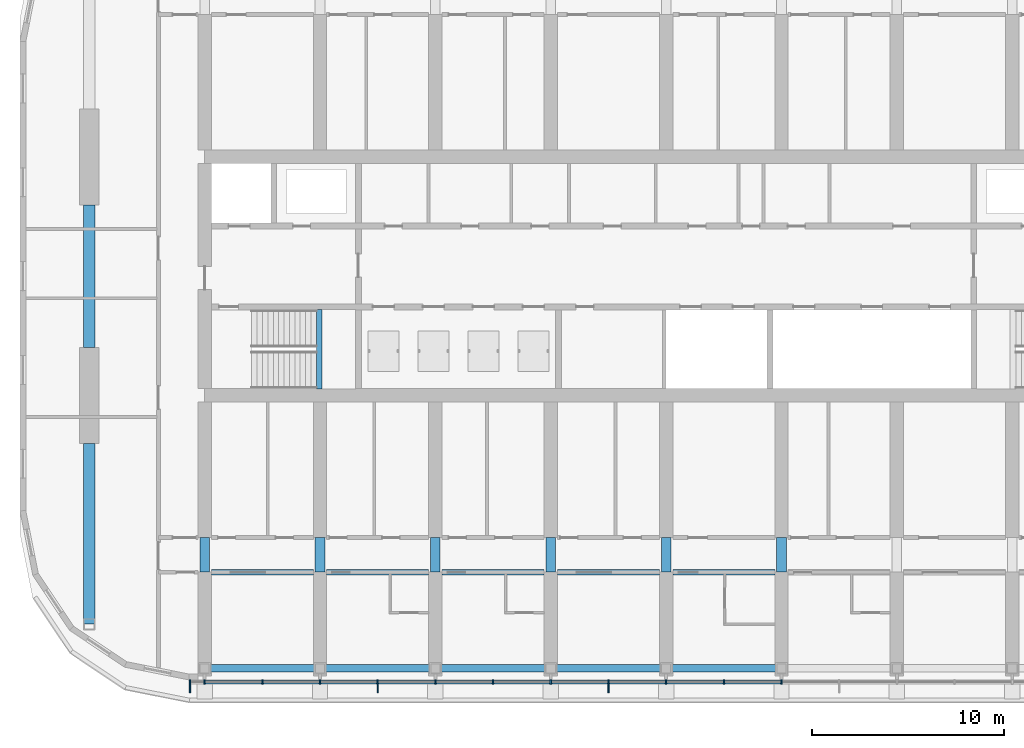
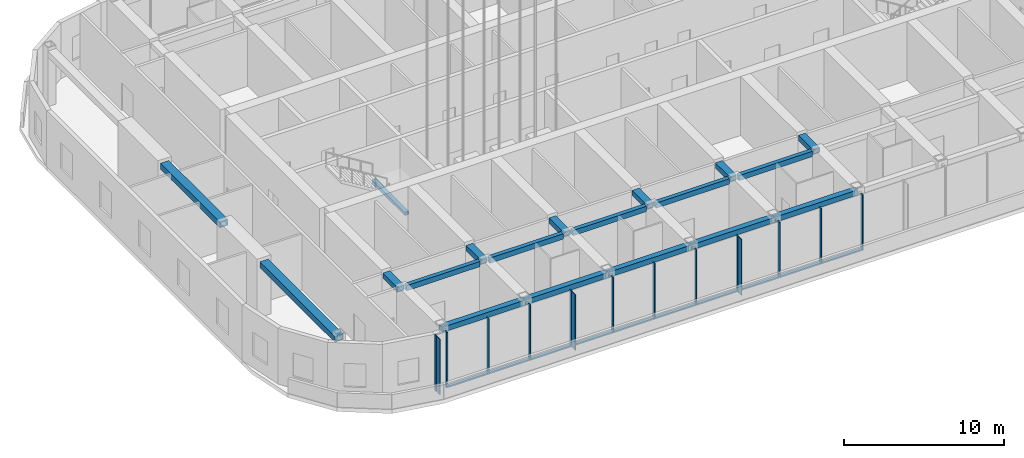
# One storey, part 2 of 35: 25 members, 19 beams, 1 element without a shape of its own.
"""IFC4 building model written with IfcOpenShell, lengths in metres."""

from ifc_helpers import new_model, si_unit, direction, frame, origin, origin_2d, place, context, subcontext, project, spatial, rectangle, hollow_rectangle, extrude, material, material_profile, profile_set, type_object, element, aggregate, save


model = new_model("IFC4")

# Units and contexts
model_context = context("Model", 3, precision=1e-05, world=origin(), true_north=direction((0.0, 1.0)))
body_context = subcontext(model_context, "Body", "Model", "MODEL_VIEW")
ifc_project = project(units=[si_unit("LENGTHUNIT", "METRE"), si_unit("AREAUNIT", "SQUARE_METRE"), si_unit("VOLUMEUNIT", "CUBIC_METRE"), si_unit("PLANEANGLEUNIT", "RADIAN"), si_unit("MASSUNIT", "GRAM", prefix="KILO")], contexts=[model_context])

# Site, building, storey
site_placement = place(None, origin())
site = spatial("IfcSite", under=ifc_project, at=site_placement, CompositionType="ELEMENT")
building_placement = place(site_placement, origin())
building = spatial("IfcBuilding", under=site, at=building_placement, Name="Orbita Commons", CompositionType="ELEMENT")
storey_placement = place(building_placement, frame((0.0, 0.0, 208.300048828125)))
storey = spatial("IfcBuildingStorey", under=building, at=storey_placement, Name="L51", CompositionType="ELEMENT", Elevation=208.300048828125)

# Curtain wall, members
ifc_material_1 = material(Name="Anodised aluminium frame, pale silver", Category="aluminium")
curtain_wall_type = type_object("IfcCurtainWallType", Name="Unitised curtain wall CW-S, full-height", PredefinedType="NOTDEFINED", material=ifc_material_1)
curtain_wall_placement = place(storey_placement, origin())
curtain_wall = element("IfcCurtainWall", 1, at=curtain_wall_placement, inside=storey, type_object=curtain_wall_type, Name="Curtain wall south L51", PredefinedType="NOTDEFINED")
ifc_material_2 = material(Name="Anodised aluminium, pale silver", Category="aluminium")
ifc_material_profile_1 = material_profile(ifc_material_2, rectangle(XDim=0.080078125, YDim=0.219970703125, at=origin_2d()), Name="AL 80x220")
ifc_profile_set_1 = profile_set([ifc_material_profile_1], Name="Anodised aluminium, pale silver")
member_type_1 = type_object("IfcMemberType", Name="Curtain wall mullion 80x220", PredefinedType="MULLION", material=ifc_profile_set_1)
member_1_placement = place(storey_placement, frame((17.239990234375, 10.889892578125, 0.0), z_axis=(0.0, 0.0, 1.0), x_axis=(1.0, 0.0, 0.0)))
member_1 = element("IfcMember", 2, at=member_1_placement, type_object=member_type_1, Name="Mullion 1 CW-L51-S", PredefinedType="MULLION", context=body_context, shape_type="SweptSolid", body=[
    extrude(rectangle(XDim=0.080078125, YDim=0.219970703125, at=origin_2d()), origin(), (0.0, 0.0, 1.0), 4.25),
])
member_2_placement = place(storey_placement, frame((18.0, 10.889892578125, 0.0), z_axis=(0.0, 0.0, 1.0), x_axis=(1.0, 0.0, 0.0)))
member_2 = element("IfcMember", 3, at=member_2_placement, type_object=member_type_1, Name="Mullion 2 CW-L51-S", PredefinedType="MULLION", context=body_context, shape_type="SweptSolid", body=[
    extrude(rectangle(XDim=0.080078125, YDim=0.219970703125, at=origin_2d()), origin(), (0.0, 0.0, 1.0), 4.25),
])
member_3_placement = place(storey_placement, frame((21.0, 10.889892578125, 0.0), z_axis=(0.0, 0.0, 1.0), x_axis=(1.0, 0.0, 0.0)))
member_3 = element("IfcMember", 4, at=member_3_placement, type_object=member_type_1, Name="Mullion 3 CW-L51-S", PredefinedType="MULLION", context=body_context, shape_type="SweptSolid", body=[
    extrude(rectangle(XDim=0.080078125, YDim=0.219970703125, at=origin_2d()), origin(), (0.0, 0.0, 1.0), 4.25),
])
member_4_placement = place(storey_placement, frame((24.0, 10.889892578125, 0.0), z_axis=(0.0, 0.0, 1.0), x_axis=(1.0, 0.0, 0.0)))
member_4 = element("IfcMember", 5, at=member_4_placement, type_object=member_type_1, Name="Mullion 4 CW-L51-S", PredefinedType="MULLION", context=body_context, shape_type="SweptSolid", body=[
    extrude(rectangle(XDim=0.080078125, YDim=0.219970703125, at=origin_2d()), origin(), (0.0, 0.0, 1.0), 4.25),
])
member_5_placement = place(storey_placement, frame((27.0, 10.889892578125, 0.0), z_axis=(0.0, 0.0, 1.0), x_axis=(1.0, 0.0, 0.0)))
member_5 = element("IfcMember", 6, at=member_5_placement, type_object=member_type_1, Name="Mullion 5 CW-L51-S", PredefinedType="MULLION", context=body_context, shape_type="SweptSolid", body=[
    extrude(rectangle(XDim=0.080078125, YDim=0.219970703125, at=origin_2d()), origin(), (0.0, 0.0, 1.0), 4.25),
])
member_6_placement = place(storey_placement, frame((30.0, 10.889892578125, 0.0), z_axis=(0.0, 0.0, 1.0), x_axis=(1.0, 0.0, 0.0)))
member_6 = element("IfcMember", 7, at=member_6_placement, type_object=member_type_1, Name="Mullion 6 CW-L51-S", PredefinedType="MULLION", context=body_context, shape_type="SweptSolid", body=[
    extrude(rectangle(XDim=0.080078125, YDim=0.219970703125, at=origin_2d()), origin(), (0.0, 0.0, 1.0), 4.25),
])
member_7_placement = place(storey_placement, frame((33.0, 10.889892578125, 0.0), z_axis=(0.0, 0.0, 1.0), x_axis=(1.0, 0.0, 0.0)))
member_7 = element("IfcMember", 8, at=member_7_placement, type_object=member_type_1, Name="Mullion 7 CW-L51-S", PredefinedType="MULLION", context=body_context, shape_type="SweptSolid", body=[
    extrude(rectangle(XDim=0.080078125, YDim=0.219970703125, at=origin_2d()), origin(), (0.0, 0.0, 1.0), 4.25),
])
member_8_placement = place(storey_placement, frame((36.0, 10.889892578125, 0.0), z_axis=(0.0, 0.0, 1.0), x_axis=(1.0, 0.0, 0.0)))
member_8 = element("IfcMember", 9, at=member_8_placement, type_object=member_type_1, Name="Mullion 8 CW-L51-S", PredefinedType="MULLION", context=body_context, shape_type="SweptSolid", body=[
    extrude(rectangle(XDim=0.080078125, YDim=0.219970703125, at=origin_2d()), origin(), (0.0, 0.0, 1.0), 4.25),
])
member_9_placement = place(storey_placement, frame((39.0, 10.889892578125, 0.0), z_axis=(0.0, 0.0, 1.0), x_axis=(1.0, 0.0, 0.0)))
member_9 = element("IfcMember", 10, at=member_9_placement, type_object=member_type_1, Name="Mullion 9 CW-L51-S", PredefinedType="MULLION", context=body_context, shape_type="SweptSolid", body=[
    extrude(rectangle(XDim=0.080078125, YDim=0.219970703125, at=origin_2d()), origin(), (0.0, 0.0, 1.0), 4.25),
])
member_10_placement = place(storey_placement, frame((42.0, 10.889892578125, 0.0), z_axis=(0.0, 0.0, 1.0), x_axis=(1.0, 0.0, 0.0)))
member_10 = element("IfcMember", 11, at=member_10_placement, type_object=member_type_1, Name="Mullion 10 CW-L51-S", PredefinedType="MULLION", context=body_context, shape_type="SweptSolid", body=[
    extrude(rectangle(XDim=0.080078125, YDim=0.219970703125, at=origin_2d()), origin(), (0.0, 0.0, 1.0), 4.25),
])
member_11_placement = place(storey_placement, frame((45.0, 10.889892578125, 0.0), z_axis=(0.0, 0.0, 1.0), x_axis=(1.0, 0.0, 0.0)))
member_11 = element("IfcMember", 12, at=member_11_placement, type_object=member_type_1, Name="Mullion 11 CW-L51-S", PredefinedType="MULLION", context=body_context, shape_type="SweptSolid", body=[
    extrude(rectangle(XDim=0.080078125, YDim=0.219970703125, at=origin_2d()), origin(), (0.0, 0.0, 1.0), 4.25),
])
member_12_placement = place(storey_placement, frame((48.0, 10.889892578125, 0.0), z_axis=(0.0, 0.0, 1.0), x_axis=(1.0, 0.0, 0.0)))
member_12 = element("IfcMember", 13, at=member_12_placement, type_object=member_type_1, Name="Mullion 12 CW-L51-S", PredefinedType="MULLION", context=body_context, shape_type="SweptSolid", body=[
    extrude(rectangle(XDim=0.080078125, YDim=0.219970703125, at=origin_2d()), origin(), (0.0, 0.0, 1.0), 4.25),
])
ifc_material_3 = material(Name="Anodised aluminium, pale silver", Category="aluminium")
ifc_material_profile_2 = material_profile(ifc_material_3, rectangle(XDim=0.219970703125, YDim=0.10009765625, at=origin_2d()), Name="AL 220x100")
ifc_profile_set_2 = profile_set([ifc_material_profile_2], Name="Anodised aluminium, pale silver")
member_type_2 = type_object("IfcMemberType", Name="Curtain wall stack transom 220x100", PredefinedType="USERDEFINED", material=ifc_profile_set_2)
member_13_placement = place(storey_placement, frame((18.0400390625, 10.889892578125, 0.050048828125), z_axis=(1.0, 0.0, 0.0), x_axis=(0.0, 1.0, 0.0)))
member_13 = element("IfcMember", 14, at=member_13_placement, type_object=member_type_2, Name="Transom 2.1 CW-L51-S", ObjectType="TRANSOM", PredefinedType="USERDEFINED", context=body_context, shape_type="SweptSolid", body=[
    extrude(rectangle(XDim=0.219970703125, YDim=0.10009765625, at=origin_2d()), origin(), (0.0, 0.0, 1.0), 2.919921875),
])
member_14_placement = place(storey_placement, frame((21.0400390625, 10.889892578125, 0.050048828125), z_axis=(1.0, 0.0, 0.0), x_axis=(0.0, 1.0, 0.0)))
member_14 = element("IfcMember", 15, at=member_14_placement, type_object=member_type_2, Name="Transom 3.1 CW-L51-S", ObjectType="TRANSOM", PredefinedType="USERDEFINED", context=body_context, shape_type="SweptSolid", body=[
    extrude(rectangle(XDim=0.219970703125, YDim=0.10009765625, at=origin_2d()), origin(), (0.0, 0.0, 1.0), 2.919921875),
])
member_15_placement = place(storey_placement, frame((24.0400390625, 10.889892578125, 0.050048828125), z_axis=(1.0, 0.0, 0.0), x_axis=(0.0, 1.0, 0.0)))
member_15 = element("IfcMember", 16, at=member_15_placement, type_object=member_type_2, Name="Transom 4.1 CW-L51-S", ObjectType="TRANSOM", PredefinedType="USERDEFINED", context=body_context, shape_type="SweptSolid", body=[
    extrude(rectangle(XDim=0.219970703125, YDim=0.10009765625, at=origin_2d()), origin(), (0.0, 0.0, 1.0), 2.919921875),
])
member_16_placement = place(storey_placement, frame((27.0400390625, 10.889892578125, 0.050048828125), z_axis=(1.0, 0.0, 0.0), x_axis=(0.0, 1.0, 0.0)))
member_16 = element("IfcMember", 17, at=member_16_placement, type_object=member_type_2, Name="Transom 5.1 CW-L51-S", ObjectType="TRANSOM", PredefinedType="USERDEFINED", context=body_context, shape_type="SweptSolid", body=[
    extrude(rectangle(XDim=0.219970703125, YDim=0.10009765625, at=origin_2d()), origin(), (0.0, 0.0, 1.0), 2.919921875),
])
member_17_placement = place(storey_placement, frame((30.0400390625, 10.889892578125, 0.050048828125), z_axis=(1.0, 0.0, 0.0), x_axis=(0.0, 1.0, 0.0)))
member_17 = element("IfcMember", 18, at=member_17_placement, type_object=member_type_2, Name="Transom 6.1 CW-L51-S", ObjectType="TRANSOM", PredefinedType="USERDEFINED", context=body_context, shape_type="SweptSolid", body=[
    extrude(rectangle(XDim=0.219970703125, YDim=0.10009765625, at=origin_2d()), origin(), (0.0, 0.0, 1.0), 2.919921875),
])
member_18_placement = place(storey_placement, frame((33.0400390625, 10.889892578125, 0.050048828125), z_axis=(1.0, 0.0, 0.0), x_axis=(0.0, 1.0, 0.0)))
member_18 = element("IfcMember", 19, at=member_18_placement, type_object=member_type_2, Name="Transom 7.1 CW-L51-S", ObjectType="TRANSOM", PredefinedType="USERDEFINED", context=body_context, shape_type="SweptSolid", body=[
    extrude(rectangle(XDim=0.219970703125, YDim=0.10009765625, at=origin_2d()), origin(), (0.0, 0.0, 1.0), 2.919921875),
])
member_19_placement = place(storey_placement, frame((36.0400390625, 10.889892578125, 0.050048828125), z_axis=(1.0, 0.0, 0.0), x_axis=(0.0, 1.0, 0.0)))
member_19 = element("IfcMember", 20, at=member_19_placement, type_object=member_type_2, Name="Transom 8.1 CW-L51-S", ObjectType="TRANSOM", PredefinedType="USERDEFINED", context=body_context, shape_type="SweptSolid", body=[
    extrude(rectangle(XDim=0.219970703125, YDim=0.10009765625, at=origin_2d()), origin(), (0.0, 0.0, 1.0), 2.919921875),
])
member_20_placement = place(storey_placement, frame((39.0400390625, 10.889892578125, 0.050048828125), z_axis=(1.0, 0.0, 0.0), x_axis=(0.0, 1.0, 0.0)))
member_20 = element("IfcMember", 21, at=member_20_placement, type_object=member_type_2, Name="Transom 9.1 CW-L51-S", ObjectType="TRANSOM", PredefinedType="USERDEFINED", context=body_context, shape_type="SweptSolid", body=[
    extrude(rectangle(XDim=0.219970703125, YDim=0.10009765625, at=origin_2d()), origin(), (0.0, 0.0, 1.0), 2.919921875),
])
member_21_placement = place(storey_placement, frame((42.0400390625, 10.889892578125, 0.050048828125), z_axis=(1.0, 0.0, 0.0), x_axis=(0.0, 1.0, 0.0)))
member_21 = element("IfcMember", 22, at=member_21_placement, type_object=member_type_2, Name="Transom 10.1 CW-L51-S", ObjectType="TRANSOM", PredefinedType="USERDEFINED", context=body_context, shape_type="SweptSolid", body=[
    extrude(rectangle(XDim=0.219970703125, YDim=0.10009765625, at=origin_2d()), origin(), (0.0, 0.0, 1.0), 2.919921875),
])
member_22_placement = place(storey_placement, frame((45.0400390625, 10.889892578125, 0.050048828125), z_axis=(1.0, 0.0, 0.0), x_axis=(0.0, 1.0, 0.0)))
member_22 = element("IfcMember", 23, at=member_22_placement, type_object=member_type_2, Name="Transom 11.1 CW-L51-S", ObjectType="TRANSOM", PredefinedType="USERDEFINED", context=body_context, shape_type="SweptSolid", body=[
    extrude(rectangle(XDim=0.219970703125, YDim=0.10009765625, at=origin_2d()), origin(), (0.0, 0.0, 1.0), 2.919921875),
])

# Beams
ifc_material_4 = material(Name="Steel ASTM A572 Gr 50 welded plate", Category="steel")
ifc_material_profile_3 = material_profile(ifc_material_4, hollow_rectangle(XDim=0.300048828125, YDim=0.25, WallThickness=0.02490234375, at=origin_2d()), Name="BOX 250x300x25")
ifc_profile_set_3 = profile_set([ifc_material_profile_3], Name="Steel ASTM A572 Gr 50 welded plate")
beam_type_1 = type_object("IfcBeamType", Name="Stair landing beam steel BOX 250x300x25", PredefinedType="BEAM", material=ifc_profile_set_3)
beam_1_placement = place(storey_placement, frame((23.9599609375, 26.135009765625, 1.925048828125), z_axis=(0.0, 1.0, 0.0), x_axis=(-1.0, 0.0, 0.0)))
element("IfcBeam", 24, at=beam_1_placement, inside=storey, type_object=beam_type_1, Name="Stair S1 landing beam L51 1", PredefinedType="BEAM", context=body_context, shape_type="SweptSolid", body=[
    extrude(hollow_rectangle(XDim=0.300048828125, YDim=0.25, WallThickness=0.02490234375, at=origin_2d()), origin(), (0.0, 0.0, 1.0), 4.1298828125),
])
ifc_material_5 = material(Name="Steel ASTM A572 Gr 50 welded plate", Category="steel")
ifc_material_profile_4 = material_profile(ifc_material_5, hollow_rectangle(XDim=0.300048828125, YDim=0.39990234375, WallThickness=0.0400390625, at=origin_2d()), Name="BOX 400x300x40")
ifc_profile_set_4 = profile_set([ifc_material_profile_4], Name="Steel ASTM A572 Gr 50 welded plate")
beam_type_2 = type_object("IfcBeamType", Name="Steel corridor link BOX 400x300x40", PredefinedType="BEAM", material=ifc_profile_set_4)
for number, where, z_axis, x_axis, name in (
    (25, (18.35009765625, 16.60009765625, 4.050048828125), (1.0, 0.0, 0.0), (0.0, 1.0, 0.0), "Corridor beam SA 4-5 L51"),
    (26, (24.35009765625, 16.60009765625, 4.050048828125), (1.0, 0.0, 0.0), (0.0, 1.0, 0.0), "Corridor beam SA 5-6 L51"),
    (27, (30.35009765625, 16.60009765625, 4.050048828125), (1.0, 0.0, 0.0), (0.0, 1.0, 0.0), "Corridor beam SA 6-7 L51"),
    (28, (36.35009765625, 16.60009765625, 4.050048828125), (1.0, 0.0, 0.0), (0.0, 1.0, 0.0), "Corridor beam SA 7-8 L51"),
    (29, (42.35009765625, 16.60009765625, 4.050048828125), (1.0, 0.0, 0.0), (0.0, 1.0, 0.0), "Corridor beam SA 8-9 L51"),
):
    element("IfcBeam", number, at=place(storey_placement, frame(where, z_axis=z_axis, x_axis=x_axis)), inside=storey, type_object=beam_type_2, Name=name, PredefinedType="BEAM", context=body_context, shape_type="SweptSolid", body=[
        extrude(hollow_rectangle(XDim=0.300048828125, YDim=0.39990234375, WallThickness=0.0400390625, at=origin_2d()), origin(), (0.0, 0.0, 1.0), 5.2998046875),
    ])
ifc_material_6 = material(Name="Steel ASTM A572 Gr 50 welded plate", Category="steel")
ifc_material_profile_5 = material_profile(ifc_material_6, hollow_rectangle(XDim=0.5, YDim=0.39990234375, WallThickness=0.050048828125, at=origin_2d()), Name="BOX 400x500x50")
ifc_profile_set_5 = profile_set([ifc_material_profile_5], Name="Steel ASTM A572 Gr 50 welded plate")
beam_type_3 = type_object("IfcBeamType", Name="Steel coupling link BOX 400x500x50", PredefinedType="LINTEL", material=ifc_profile_set_5)
for number, where, z_axis, x_axis, name in (
    (30, (18.0, 16.60009765625, 4.050048828125), (0.0, 1.0, 0.0), (-1.0, 0.0, 0.0), "Coupling beam 4 south L51"),
    (31, (24.0, 16.60009765625, 4.050048828125), (0.0, 1.0, 0.0), (-1.0, 0.0, 0.0), "Coupling beam 5 south L51"),
    (32, (30.0, 16.60009765625, 4.050048828125), (0.0, 1.0, 0.0), (-1.0, 0.0, 0.0), "Coupling beam 6 south L51"),
    (33, (36.0, 16.60009765625, 4.050048828125), (0.0, 1.0, 0.0), (-1.0, 0.0, 0.0), "Coupling beam 7 south L51"),
    (34, (42.0, 16.60009765625, 4.050048828125), (0.0, 1.0, 0.0), (-1.0, 0.0, 0.0), "Coupling beam 8 south L51"),
    (35, (48.0, 16.60009765625, 4.050048828125), (0.0, 1.0, 0.0), (-1.0, 0.0, 0.0), "Coupling beam 9 south L51"),
):
    element("IfcBeam", number, at=place(storey_placement, frame(where, z_axis=z_axis, x_axis=x_axis)), inside=storey, type_object=beam_type_3, Name=name, PredefinedType="LINTEL", context=body_context, shape_type="SweptSolid", body=[
        extrude(hollow_rectangle(XDim=0.5, YDim=0.39990234375, WallThickness=0.050048828125, at=origin_2d()), origin(), (0.0, 0.0, 1.0), 1.7998046875),
    ])
ifc_material_7 = material(Name="Steel ASTM A572 Gr 50 welded plate", Category="steel")
ifc_material_profile_6 = material_profile(ifc_material_7, hollow_rectangle(XDim=0.60009765625, YDim=0.449951171875, WallThickness=0.06005859375, at=origin_2d()), Name="BOX 450x600x60")
ifc_profile_set_6 = profile_set([ifc_material_profile_6], Name="Steel ASTM A572 Gr 50 welded plate")
beam_type_4 = type_object("IfcBeamType", Name="Steel end frame link BOX 450x600x60", PredefinedType="BEAM", material=ifc_profile_set_6)
beam_2_placement = place(storey_placement, frame((12.0, 13.89990234375, 4.02490234375), z_axis=(0.0, 1.0, 0.0), x_axis=(-1.0, 0.0, 0.0)))
element("IfcBeam", 36, at=beam_2_placement, inside=storey, type_object=beam_type_4, Name="End frame beam 3 B-C L51", PredefinedType="BEAM", context=body_context, shape_type="SweptSolid", body=[
    extrude(hollow_rectangle(XDim=0.60009765625, YDim=0.449951171875, WallThickness=0.06005859375, at=origin_2d()), origin(), (0.0, 0.0, 1.0), 9.400146484375),
])
beam_3_placement = place(storey_placement, frame((12.0, 28.300048828125, 4.02490234375), z_axis=(0.0, 1.0, 0.0), x_axis=(-1.0, 0.0, 0.0)))
element("IfcBeam", 37, at=beam_3_placement, inside=storey, type_object=beam_type_4, Name="End frame beam 3 C-D L51", PredefinedType="BEAM", context=body_context, shape_type="SweptSolid", body=[
    extrude(hollow_rectangle(XDim=0.60009765625, YDim=0.449951171875, WallThickness=0.06005859375, at=origin_2d()), origin(), (0.0, 0.0, 1.0), 7.39990234375),
])
ifc_material_8 = material(Name="Steel ASTM A572 Gr 50 welded plate", Category="steel")
ifc_material_profile_7 = material_profile(ifc_material_8, hollow_rectangle(XDim=0.39990234375, YDim=0.39990234375, WallThickness=0.0400390625, at=origin_2d()), Name="BOX 400x400x40")
ifc_profile_set_7 = profile_set([ifc_material_profile_7], Name="Steel ASTM A572 Gr 50 welded plate")
beam_type_5 = type_object("IfcBeamType", Name="Steel spandrel BOX 400x400x40", PredefinedType="SPANDREL", material=ifc_profile_set_7)
for number, where, z_axis, x_axis, name in (
    (38, (18.0, 11.60009765625, 4.050048828125), (1.0, 0.0, 0.0), (0.0, 1.0, 0.0), "Spandrel beam B 4-5 L51"),
    (39, (24.0, 11.60009765625, 4.050048828125), (1.0, 0.0, 0.0), (0.0, 1.0, 0.0), "Spandrel beam B 5-6 L51"),
    (40, (30.0, 11.60009765625, 4.050048828125), (1.0, 0.0, 0.0), (0.0, 1.0, 0.0), "Spandrel beam B 6-7 L51"),
    (41, (36.0, 11.60009765625, 4.050048828125), (1.0, 0.0, 0.0), (0.0, 1.0, 0.0), "Spandrel beam B 7-8 L51"),
    (42, (42.0, 11.60009765625, 4.050048828125), (1.0, 0.0, 0.0), (0.0, 1.0, 0.0), "Spandrel beam B 8-9 L51"),
):
    element("IfcBeam", number, at=place(storey_placement, frame(where, z_axis=z_axis, x_axis=x_axis)), inside=storey, type_object=beam_type_5, Name=name, PredefinedType="SPANDREL", context=body_context, shape_type="SweptSolid", body=[
        extrude(hollow_rectangle(XDim=0.39990234375, YDim=0.39990234375, WallThickness=0.0400390625, at=origin_2d()), origin(), (0.0, 0.0, 1.0), 6.0),
    ])

# Member
ifc_material_9 = material(Name="Anodised aluminium, pale silver", Category="aluminium")
ifc_material_profile_8 = material_profile(ifc_material_9, rectangle(XDim=0.06005859375, YDim=0.449951171875, at=origin_2d()), Name="FIN 60x450")
ifc_profile_set_8 = profile_set([ifc_material_profile_8], Name="Anodised aluminium, pale silver")
member_type_3 = type_object("IfcMemberType", Name="Vertical fin 60x450 pale aluminium", PredefinedType="USERDEFINED", material=ifc_profile_set_8)
member_23_placement = place(storey_placement, frame((17.239990234375, 10.554931640625, 0.0), z_axis=(0.0, 0.0, 1.0), x_axis=(1.0, 0.0, 0.0)))
member_23 = element("IfcMember", 43, at=member_23_placement, type_object=member_type_3, Name="Fin 1 CW-L51-S", ObjectType="FIN", PredefinedType="USERDEFINED", context=body_context, shape_type="SweptSolid", body=[
    extrude(rectangle(XDim=0.06005859375, YDim=0.449951171875, at=origin_2d()), origin(), (0.0, 0.0, 1.0), 4.25),
])

member_24_placement = place(storey_placement, frame((27.0, 10.554931640625, 0.0), z_axis=(0.0, 0.0, 1.0), x_axis=(1.0, 0.0, 0.0)))
member_24 = element("IfcMember", 44, at=member_24_placement, type_object=member_type_3, Name="Fin 5 CW-L51-S", ObjectType="FIN", PredefinedType="USERDEFINED", context=body_context, shape_type="SweptSolid", body=[
    extrude(rectangle(XDim=0.06005859375, YDim=0.449951171875, at=origin_2d()), origin(), (0.0, 0.0, 1.0), 4.25),
])

member_25_placement = place(storey_placement, frame((39.0, 10.554931640625, 0.0), z_axis=(0.0, 0.0, 1.0), x_axis=(1.0, 0.0, 0.0)))
member_25 = element("IfcMember", 45, at=member_25_placement, type_object=member_type_3, Name="Fin 9 CW-L51-S", ObjectType="FIN", PredefinedType="USERDEFINED", context=body_context, shape_type="SweptSolid", body=[
    extrude(rectangle(XDim=0.06005859375, YDim=0.449951171875, at=origin_2d()), origin(), (0.0, 0.0, 1.0), 4.25),
])

aggregate(curtain_wall, [member_1, member_23, member_2, member_3, member_4, member_5, member_24, member_6, member_7, member_8, member_9, member_25, member_10, member_11, member_12, member_13, member_14, member_15, member_16, member_17, member_18, member_19, member_20, member_21, member_22])

save(model, "model.ifc")
